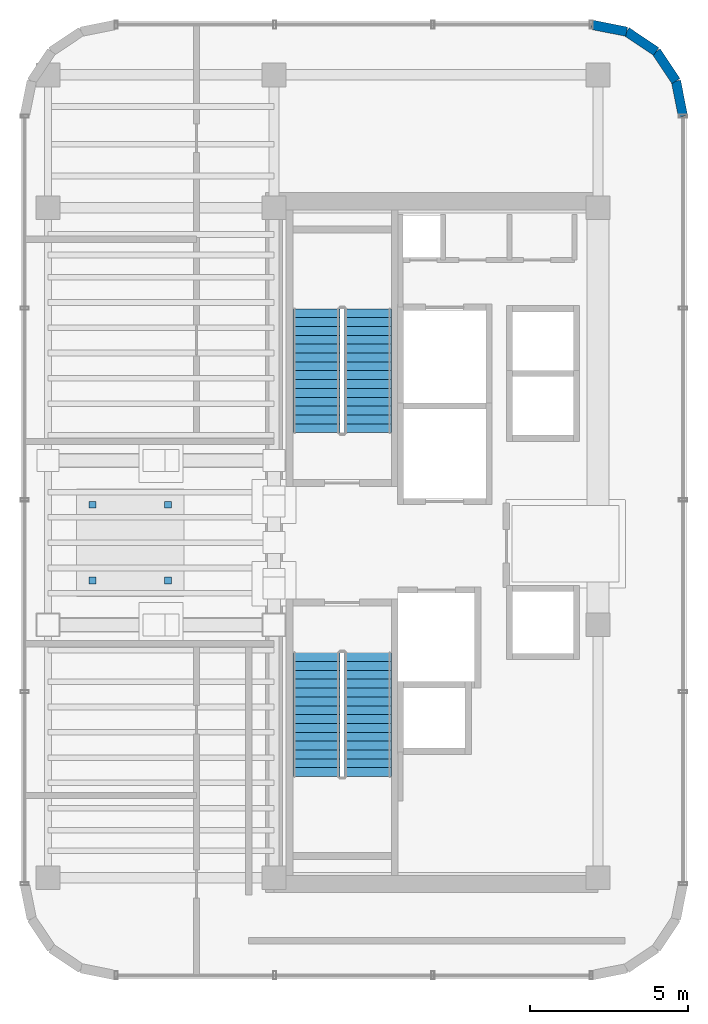
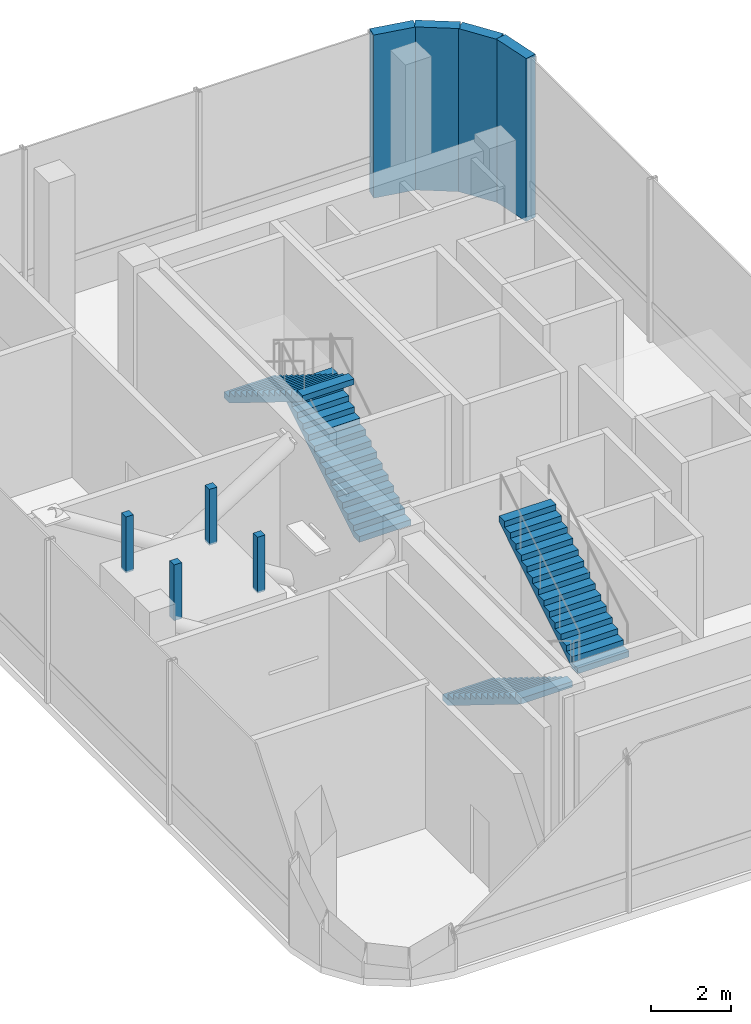
# One storey, part 11 of 13: 4 discrete accessories, 4 stair flights, 4 walls, 2 elements without a shape of their own.
"""IFC4 building model written with IfcOpenShell, lengths in metres."""

from ifc_helpers import new_model, si_unit, direction, frame, frame_2d, origin, origin_2d, place, context, subcontext, project, spatial, polyline, rectangle, outline, extrude, source, transform, mapped, material, layer, layer_set, type_object, element, aggregate, save


model = new_model("IFC4")

# Units and contexts
model_context = context("Model", 3, precision=1e-05, world=origin(), true_north=direction((0.0, 1.0)))
body_context = subcontext(model_context, "Body", "Model", "MODEL_VIEW")
ifc_project = project(units=[si_unit("LENGTHUNIT", "METRE"), si_unit("AREAUNIT", "SQUARE_METRE"), si_unit("VOLUMEUNIT", "CUBIC_METRE"), si_unit("PLANEANGLEUNIT", "RADIAN"), si_unit("MASSUNIT", "GRAM", prefix="KILO")], contexts=[model_context])

# Site, building, storey
site_placement = place(None, origin())
site = spatial("IfcSite", under=ifc_project, at=site_placement, CompositionType="ELEMENT")
building_placement = place(site_placement, origin())
building = spatial("IfcBuilding", under=site, at=building_placement, Name="Valdorenza Pilgrim Sanctuary Tower", CompositionType="ELEMENT")
storey_placement = place(building_placement, frame((0.0, 0.0, 294.199951171875)))
storey = spatial("IfcBuildingStorey", under=building, at=storey_placement, Name="L77", CompositionType="ELEMENT", Elevation=294.199951171875)

# Walls
ifc_material_1 = material(Name="Honed travertine limestone", Category="masonry")
ifc_layer = layer(ifc_material_1, 0.300048828125, Name="Honed travertine limestone")
ifc_layer_set = layer_set([ifc_layer], Name="Honed travertine limestone")
wall_type = type_object("IfcWallType", Name="WAL-EXT-300", PredefinedType="SOLIDWALL", material=ifc_layer_set)
wall_1_placement = place(storey_placement, frame((-12.61083984375, 16.389892578125, 0.0), z_axis=(0.0, 0.0, 1.0), x_axis=(0.980794657743, -0.195043173023, 0.0)))
element("IfcWall", 1, at=wall_1_placement, inside=storey, type_object=wall_type, Name="L77 Rounded Wind-Corner Stone Pier 7", PredefinedType="SOLIDWALL", context=body_context, shape_type="SweptSolid", body=[
    extrude(rectangle(XDim=1.137939453125, YDim=0.300048828125, at=frame_2d((0.56884765625, 0.0))), origin(), (0.0, 0.0, 1.0), 4.9599609375),
])
for number, where, z_axis, x_axis, name in (
    (2, (-11.494873046875, 16.16796875, 0.0), (0.0, 0.0, 1.0), (0.831449735491, -0.555599979619, 0.0), "L77 Rounded Wind-Corner Stone Pier 8"),
    (3, (-10.55810546875, 15.5419921875, 0.0), (0.0, 0.0, 1.0), (0.555749754081, -0.831349632128, 0.0), "L77 Rounded Wind-Corner Stone Pier 9"),
):
    element("IfcWall", number, at=place(storey_placement, frame(where, z_axis=z_axis, x_axis=x_axis)), inside=storey, type_object=wall_type, Name=name, PredefinedType="SOLIDWALL", context=body_context, shape_type="SweptSolid", body=[
        extrude(rectangle(XDim=1.126708984375, YDim=0.300048828125, at=frame_2d((0.5634765625, 0.0))), origin(), (0.0, 0.0, 1.0), 4.9599609375),
    ])
wall_2_placement = place(storey_placement, frame((-9.931884765625, 14.605224609375, 0.0), z_axis=(0.0, 0.0, 1.0), x_axis=(0.195043173023, -0.980794657743, 0.0)))
element("IfcWall", 4, at=wall_2_placement, inside=storey, type_object=wall_type, Name="L77 Rounded Wind-Corner Stone Pier 10", PredefinedType="SOLIDWALL", context=body_context, shape_type="SweptSolid", body=[
    extrude(rectangle(XDim=1.137939453125, YDim=0.300048828125, at=frame_2d((0.56884765625, 0.0))), origin(), (0.0, 0.0, 1.0), 4.9599609375),
])

# Stair, stair flights
ifc_material_2 = material(Name="Concrete C40/50", Category="concrete")
stair_type = type_object("IfcStairType", Name="STR-DOG-CORE", PredefinedType="HALF_TURN_STAIR", material=ifc_material_2)
stair_1_placement = place(storey_placement, origin())
stair_1 = element("IfcStair", 5, at=stair_1_placement, inside=storey, type_object=stair_type, Name="L77 ST-A1", PredefinedType="HALF_TURN_STAIR")
stair_flight_type = type_object("IfcStairFlightType", Name="STF-RC-1400", PredefinedType="STRAIGHT", material=ifc_material_2)
stair_flight_1_placement = place(storey_placement, frame((-19.679931640625, 3.47998046875, 0.0), z_axis=(0.0, 0.0, 1.0), x_axis=(0.0, 1.0, 0.0)))
stair_flight_1 = element("IfcStairFlight", 6, at=stair_flight_1_placement, type_object=stair_flight_type, Name="ST-A1 flight 1", NumberOfRisers=15, NumberOfTreads=14, PredefinedType="STRAIGHT", RiserHeight=0.173333333, TreadLength=0.28, context=body_context, shape_type="SweptSolid", body=[
    extrude(outline(polyline([(0.0, 0.0), (0.0, 0.17333984375), (0.280029296875, 0.17333984375), (0.280029296875, 0.3466796875), (0.56005859375, 0.3466796875), (0.56005859375, 0.52001953125), (0.840087890625, 0.52001953125), (0.840087890625, 0.693359375), (1.1201171875, 0.693359375), (1.1201171875, 0.86669921875), (1.39990234375, 0.86669921875), (1.39990234375, 1.0400390625), (1.679931640625, 1.0400390625), (1.679931640625, 1.21337890625), (1.9599609375, 1.21337890625), (1.9599609375, 1.38671875), (2.239990234375, 1.38671875), (2.239990234375, 1.56005859375), (2.52001953125, 1.56005859375), (2.52001953125, 1.7333984375), (2.800048828125, 1.7333984375), (2.800048828125, 1.90673828125), (3.080078125, 1.90673828125), (3.080078125, 2.080078125), (3.360107421875, 2.080078125), (3.360107421875, 2.25341796875), (3.639892578125, 2.25341796875), (3.639892578125, 2.4267578125), (3.919921875, 2.4267578125), (3.919921875, 2.60009765625), (3.919921875, 2.250244140625), (0.284912109375, 0.0), (0.0, 0.0)])), frame((0.0, 0.739990234375, 0.0), z_axis=(0.0, -1.0, 0.0), x_axis=(1.0, 0.0, 0.0)), (0.0, 0.0, 1.0), 1.47998046875),
])
stair_flight_2_placement = place(storey_placement, frame((-21.31005859375, 7.39990234375, 2.60009765625), z_axis=(0.0, 0.0, 1.0), x_axis=(0.0, -1.0, 0.0)))
stair_flight_2 = element("IfcStairFlight", 7, at=stair_flight_2_placement, type_object=stair_flight_type, Name="ST-A1 flight 2", NumberOfRisers=15, NumberOfTreads=14, PredefinedType="STRAIGHT", RiserHeight=0.173333333, TreadLength=0.28, context=body_context, shape_type="SweptSolid", body=[
    extrude(outline(polyline([(0.0, 0.0), (0.0, 0.17333984375), (0.280029296875, 0.17333984375), (0.280029296875, 0.3466796875), (0.56005859375, 0.3466796875), (0.56005859375, 0.52001953125), (0.840087890625, 0.52001953125), (0.840087890625, 0.693359375), (1.1201171875, 0.693359375), (1.1201171875, 0.86669921875), (1.39990234375, 0.86669921875), (1.39990234375, 1.0400390625), (1.679931640625, 1.0400390625), (1.679931640625, 1.21337890625), (1.9599609375, 1.21337890625), (1.9599609375, 1.38671875), (2.239990234375, 1.38671875), (2.239990234375, 1.56005859375), (2.52001953125, 1.56005859375), (2.52001953125, 1.7333984375), (2.800048828125, 1.7333984375), (2.800048828125, 1.90673828125), (3.080078125, 1.90673828125), (3.080078125, 2.080078125), (3.360107421875, 2.080078125), (3.360107421875, 2.25341796875), (3.639892578125, 2.25341796875), (3.639892578125, 2.4267578125), (3.919921875, 2.4267578125), (3.919921875, 2.60009765625), (3.919921875, 2.250244140625), (0.284912109375, 0.0), (0.0, 0.0)])), frame((0.0, 0.739990234375, 0.0), z_axis=(0.0, -1.0, 0.0), x_axis=(1.0, 0.0, 0.0)), (0.0, 0.0, 1.0), 1.47998046875),
])
aggregate(stair_1, [stair_flight_1, stair_flight_2])

stair_2_placement = place(storey_placement, origin())
stair_2 = element("IfcStair", 8, at=stair_2_placement, inside=storey, type_object=stair_type, Name="L77 ST-A2", PredefinedType="HALF_TURN_STAIR")
stair_flight_3_placement = place(storey_placement, frame((-21.31005859375, -3.47998046875, 0.0), z_axis=(0.0, 0.0, 1.0), x_axis=(0.0, -1.0, 0.0)))
stair_flight_3 = element("IfcStairFlight", 9, at=stair_flight_3_placement, type_object=stair_flight_type, Name="ST-A2 flight 1", NumberOfRisers=15, NumberOfTreads=14, PredefinedType="STRAIGHT", RiserHeight=0.173333333, TreadLength=0.28, context=body_context, shape_type="SweptSolid", body=[
    extrude(outline(polyline([(0.0, 0.0), (0.0, 0.17333984375), (0.280029296875, 0.17333984375), (0.280029296875, 0.3466796875), (0.56005859375, 0.3466796875), (0.56005859375, 0.52001953125), (0.840087890625, 0.52001953125), (0.840087890625, 0.693359375), (1.1201171875, 0.693359375), (1.1201171875, 0.86669921875), (1.39990234375, 0.86669921875), (1.39990234375, 1.0400390625), (1.679931640625, 1.0400390625), (1.679931640625, 1.21337890625), (1.9599609375, 1.21337890625), (1.9599609375, 1.38671875), (2.239990234375, 1.38671875), (2.239990234375, 1.56005859375), (2.52001953125, 1.56005859375), (2.52001953125, 1.7333984375), (2.800048828125, 1.7333984375), (2.800048828125, 1.90673828125), (3.080078125, 1.90673828125), (3.080078125, 2.080078125), (3.360107421875, 2.080078125), (3.360107421875, 2.25341796875), (3.639892578125, 2.25341796875), (3.639892578125, 2.4267578125), (3.919921875, 2.4267578125), (3.919921875, 2.60009765625), (3.919921875, 2.250244140625), (0.284912109375, 0.0), (0.0, 0.0)])), frame((0.0, 0.739990234375, 0.0), z_axis=(0.0, -1.0, 0.0), x_axis=(1.0, 0.0, 0.0)), (0.0, 0.0, 1.0), 1.47998046875),
])
stair_flight_4_placement = place(storey_placement, frame((-19.679931640625, -7.39990234375, 2.60009765625), z_axis=(0.0, 0.0, 1.0), x_axis=(0.0, 1.0, 0.0)))
stair_flight_4 = element("IfcStairFlight", 10, at=stair_flight_4_placement, type_object=stair_flight_type, Name="ST-A2 flight 2", NumberOfRisers=15, NumberOfTreads=14, PredefinedType="STRAIGHT", RiserHeight=0.173333333, TreadLength=0.28, context=body_context, shape_type="SweptSolid", body=[
    extrude(outline(polyline([(0.0, 0.0), (0.0, 0.17333984375), (0.280029296875, 0.17333984375), (0.280029296875, 0.3466796875), (0.56005859375, 0.3466796875), (0.56005859375, 0.52001953125), (0.840087890625, 0.52001953125), (0.840087890625, 0.693359375), (1.1201171875, 0.693359375), (1.1201171875, 0.86669921875), (1.39990234375, 0.86669921875), (1.39990234375, 1.0400390625), (1.679931640625, 1.0400390625), (1.679931640625, 1.21337890625), (1.9599609375, 1.21337890625), (1.9599609375, 1.38671875), (2.239990234375, 1.38671875), (2.239990234375, 1.56005859375), (2.52001953125, 1.56005859375), (2.52001953125, 1.7333984375), (2.800048828125, 1.7333984375), (2.800048828125, 1.90673828125), (3.080078125, 1.90673828125), (3.080078125, 2.080078125), (3.360107421875, 2.080078125), (3.360107421875, 2.25341796875), (3.639892578125, 2.25341796875), (3.639892578125, 2.4267578125), (3.919921875, 2.4267578125), (3.919921875, 2.60009765625), (3.919921875, 2.250244140625), (0.284912109375, 0.0), (0.0, 0.0)])), frame((0.0, 0.739990234375, 0.0), z_axis=(0.0, -1.0, 0.0), x_axis=(1.0, 0.0, 0.0)), (0.0, 0.0, 1.0), 1.47998046875),
])
aggregate(stair_2, [stair_flight_3, stair_flight_4])

# Discrete accessories
ifc_material_3 = material(Name="Steel S355J2", Category="steel")
discrete_accessory_type = type_object("IfcDiscreteAccessoryType", Name="ACC-TMD-HNG", PredefinedType="BRACKET", material=ifc_material_3)
shared_shape = source(origin(), body_context, "Body", "SweptSolid", [
    extrude(rectangle(XDim=0.219970703125, YDim=0.219970703125, at=origin_2d()), origin(), (0.0, 0.0, 1.0), 1.699951171875),
])
for number, where, z_axis, x_axis, name in (
    (11, (-28.39990234375, -1.199951171875, 3.35009765625), (0.0, 0.0, 1.0), (1.0, 0.0, 0.0), "Tuned Mass Damper TMD-1 Pendulum Hanger 1"),
    (12, (-26.0, -1.199951171875, 3.35009765625), (0.0, 0.0, 1.0), (1.0, 0.0, 0.0), "Tuned Mass Damper TMD-1 Pendulum Hanger 2"),
    (13, (-28.39990234375, 1.199951171875, 3.35009765625), (0.0, 0.0, 1.0), (1.0, 0.0, 0.0), "Tuned Mass Damper TMD-1 Pendulum Hanger 3"),
    (14, (-26.0, 1.199951171875, 3.35009765625), (0.0, 0.0, 1.0), (1.0, 0.0, 0.0), "Tuned Mass Damper TMD-1 Pendulum Hanger 4"),
):
    element("IfcDiscreteAccessory", number, at=place(storey_placement, frame(where, z_axis=z_axis, x_axis=x_axis)), inside=storey, type_object=discrete_accessory_type, Name=name, PredefinedType="BRACKET", context=body_context, shape_type="MappedRepresentation", body=[
        mapped(shared_shape, transform((0.0, 0.0, 0.0), x_axis=(1.0, 0.0, 0.0), y_axis=(0.0, 1.0, 0.0), z_axis=(0.0, 0.0, 1.0), scale=1.0)),
    ])

save(model, "model.ifc")
